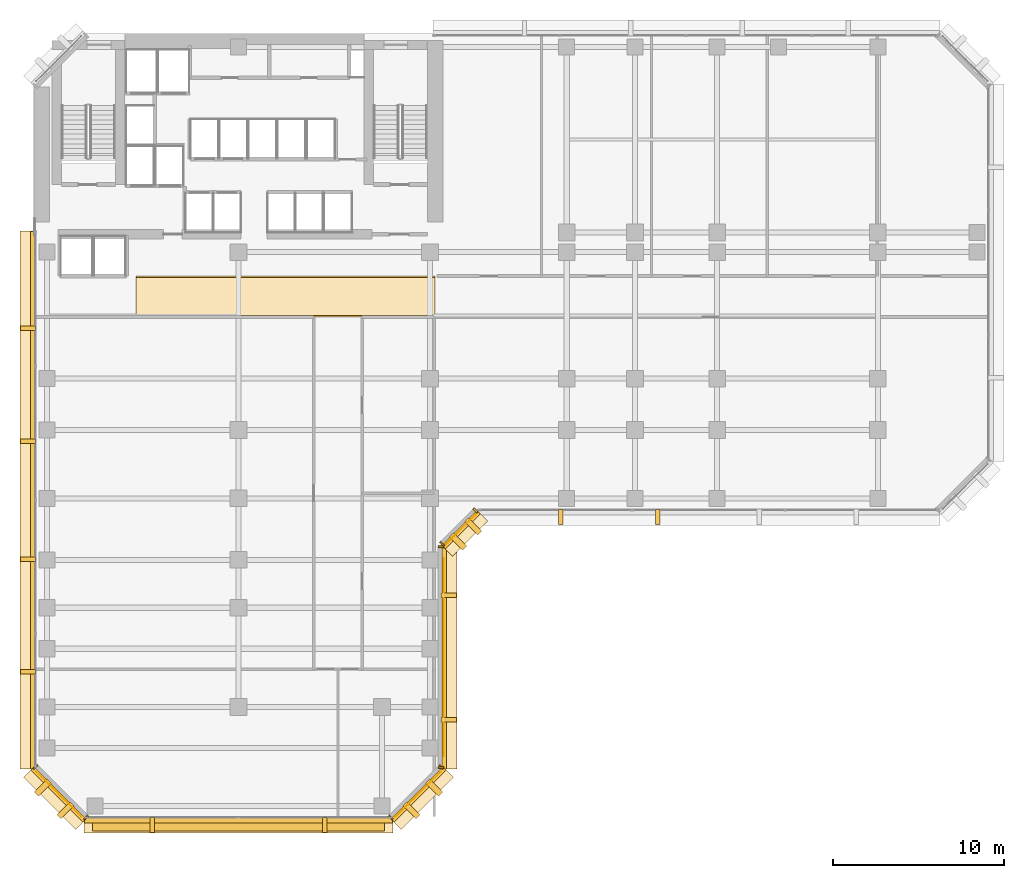
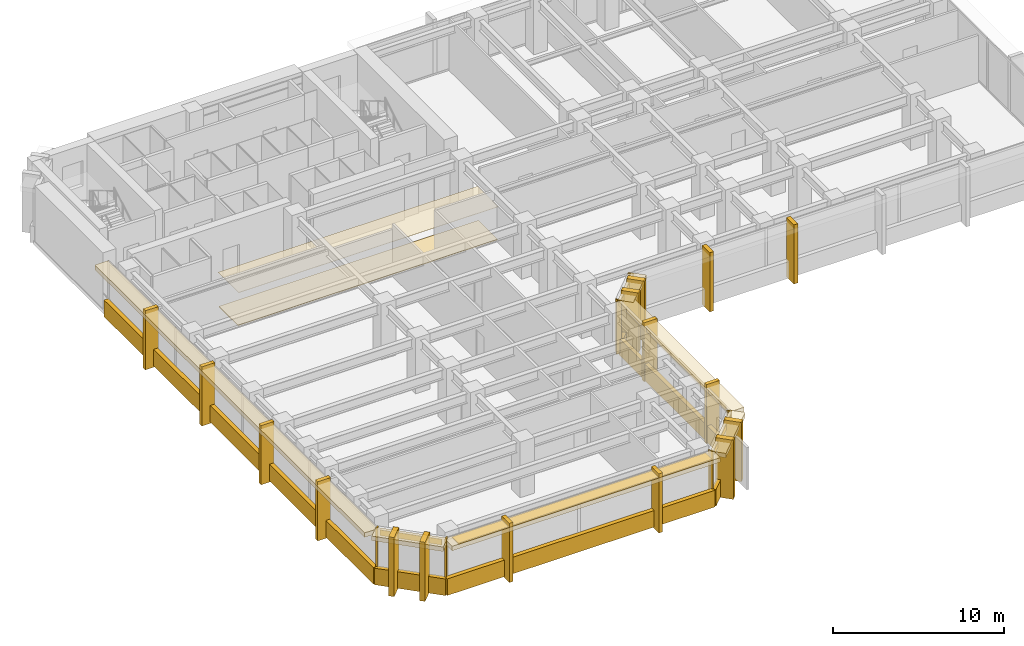
# One storey, part 9 of 13: 42 coverings, 1 shading device.
"""IFC4 building model written with IfcOpenShell, lengths in metres."""

import ifcopenshell
import ifcopenshell.guid

model = None  # the IFC model being written
_history = None  # IfcOwnerHistory: only IFC2X3 demands one
_inside = {}  # id of a spatial element -> (the spatial element, [elements in it])
_under = {}  # id of a project, library or spatial element -> (it, [spatial elements below it])
_declared = {}  # id of a project -> (the project, [libraries it declares])
_typed = {}  # id of a type object -> (the type object, [elements of that type])
_made_of = {}  # id of a material, layer set ... -> (it, [elements and type objects made of it])


def new_model(schema):
    """Start an empty IFC model of exactly this schema.

    Asked for "IFC4X3", IfcOpenShell would pick the latest addendum, in which some entities
    have other attributes; the version numbers below select the first issue.
    IFC2X3 requires an IfcOwnerHistory on every rooted entity: one is made here for all.
    """
    global model, _history
    if schema == "IFC4X3":
        model = ifcopenshell.file(schema_version=(4, 3, 0, 0))
    else:
        model = ifcopenshell.file(schema=schema)
    _inside.clear()
    _under.clear()
    _declared.clear()
    _typed.clear()
    _made_of.clear()
    _history = None
    if model.schema == "IFC2X3":
        org = make("IfcOrganization", Name="unknown")
        user = make(
            "IfcPersonAndOrganization",
            ThePerson=make("IfcPerson", FamilyName="unknown"),
            TheOrganization=org,
        )
        app = make(
            "IfcApplication",
            ApplicationDeveloper=org,
            Version="unknown",
            ApplicationFullName="unknown",
            ApplicationIdentifier="unknown",
        )
        _history = make(
            "IfcOwnerHistory",
            OwningUser=user,
            OwningApplication=app,
            ChangeAction="ADDED",
            CreationDate=0,
        )
    return model


def make(cls, **values):
    """One entity of the class cls with the attributes given. An attribute that is None is left unset."""
    return model.create_entity(
        cls, **{name: value for name, value in values.items() if value is not None}
    )


def rooted(cls, **values):
    """An entity with a GlobalId (a new one), such as an element, a storey or a relation."""
    return make(cls, GlobalId=ifcopenshell.guid.new(), OwnerHistory=_history, **values)


def si_unit(unit_type, name, prefix=None):
    """IfcSIUnit, for example si_unit("LENGTHUNIT", "METRE", prefix="MILLI")."""
    return make("IfcSIUnit", UnitType=unit_type, Prefix=prefix, Name=name)


def assignment(units):
    """IfcUnitAssignment: the units of a project."""
    return None if units is None else make("IfcUnitAssignment", Units=units)


def point(xyz):
    """IfcCartesianPoint."""
    return None if xyz is None else make("IfcCartesianPoint", Coordinates=xyz)


def direction(xyz):
    """IfcDirection."""
    return None if xyz is None else make("IfcDirection", DirectionRatios=xyz)


def frame(location, z_axis=None, x_axis=None):
    """IfcAxis2Placement3D, a coordinate frame: its origin and axes. An axis left out is left unset."""
    return make(
        "IfcAxis2Placement3D",
        Location=point(location),
        Axis=direction(z_axis),
        RefDirection=direction(x_axis),
    )


def frame_2d(location, x_axis=None):
    """IfcAxis2Placement2D, a coordinate frame in the plane: its origin and x axis."""
    return make(
        "IfcAxis2Placement2D", Location=point(location), RefDirection=direction(x_axis)
    )


def origin():
    """The frame at (0, 0, 0) with its axes left unset."""
    return frame((0.0, 0.0, 0.0))


def origin_2d():
    """The frame at (0, 0) in the plane with its x axis left unset."""
    return frame_2d((0.0, 0.0))


def place(relative_to, where):
    """IfcLocalPlacement: puts the frame where relative to a parent placement (None: the world)."""
    return make(
        "IfcLocalPlacement", PlacementRelTo=relative_to, RelativePlacement=where
    )


def context(
    kind, dimensions, precision=None, world=None, true_north=None, identifier=None
):
    """IfcGeometricRepresentationContext, for example the 3D "Model" context."""
    return make(
        "IfcGeometricRepresentationContext",
        ContextIdentifier=identifier,
        ContextType=kind,
        CoordinateSpaceDimension=dimensions,
        Precision=precision,
        WorldCoordinateSystem=world,
        TrueNorth=true_north,
    )


def subcontext(parent, identifier, kind, view, scale=None):
    """IfcGeometricRepresentationSubContext, for example "Body" below "Model"."""
    return make(
        "IfcGeometricRepresentationSubContext",
        ContextIdentifier=identifier,
        ContextType=kind,
        ParentContext=parent,
        TargetScale=scale,
        TargetView=view,
    )


def project(units=None, contexts=None):
    """IfcProject with its units and contexts."""
    return rooted(
        "IfcProject",
        Name="project",
        RepresentationContexts=contexts,
        UnitsInContext=assignment(units),
    )


def spatial(cls, under=None, at=None, **own):
    """A site, building, storey or space (cls), placed at a placement, below another one or the project."""
    s = rooted(cls, ObjectPlacement=at, **own)
    if under is not None:
        _under.setdefault(under.id(), (under, []))[1].append(s)
    return s


def polyline(points):
    """IfcPolyline through the points."""
    return make("IfcPolyline", Points=[point(p) for p in points])


def profile(cls, at=None, kind="AREA", **sizes):
    """A parametric profile (cls). Its sizes go by their IFC names, for example OverallWidth=200.0."""
    return make(cls, ProfileType=kind, Position=at, **sizes)


def rectangle(**sizes):
    """IfcRectangleProfileDef."""
    return profile("IfcRectangleProfileDef", **sizes)


def outline(outer, holes=None, kind="AREA"):
    """IfcArbitraryClosedProfileDef: a profile drawn as a closed curve; with holes, ...WithVoids."""
    if holes is None:
        return make("IfcArbitraryClosedProfileDef", ProfileType=kind, OuterCurve=outer)
    return make(
        "IfcArbitraryProfileDefWithVoids",
        ProfileType=kind,
        OuterCurve=outer,
        InnerCurves=holes,
    )


def extrude(swept, where, along, depth):
    """IfcExtrudedAreaSolid: the profile swept, set in the frame where, extruded along a direction by depth."""
    return make(
        "IfcExtrudedAreaSolid",
        SweptArea=swept,
        Position=where,
        ExtrudedDirection=direction(along),
        Depth=depth,
    )


def shape(context_of_items, identifier, shape_type, items):
    """IfcShapeRepresentation: the items that make up one representation, for example the "Body"."""
    return make(
        "IfcShapeRepresentation",
        ContextOfItems=context_of_items,
        RepresentationIdentifier=identifier,
        RepresentationType=shape_type,
        Items=items,
    )


def material(Name=None, Category=None):
    """IfcMaterial."""
    return make("IfcMaterial", Name=Name, Category=Category)


def layer(
    of_material, thickness, ventilated=None, Name=None, Category=None, Priority=None
):
    """IfcMaterialLayer: one layer of a wall or slab, of a material (None: an air gap)."""
    return make(
        "IfcMaterialLayer",
        Material=of_material,
        LayerThickness=thickness,
        IsVentilated=ventilated,
        Name=Name,
        Category=Category,
        Priority=Priority,
    )


def layer_set(layers, Name=None):
    """IfcMaterialLayerSet."""
    return make("IfcMaterialLayerSet", MaterialLayers=layers, LayerSetName=Name)


def made_of(thing, what):
    """Note that an element or type object is made of a material, layer set ...; save() writes the relation."""
    if what is not None:
        _made_of.setdefault(what.id(), (what, []))[1].append(thing)
    return thing


def type_object(cls, material=None, **own):
    """A type object (cls), such as IfcWallType, which elements share."""
    return made_of(rooted(cls, **own), material)


def element(
    cls,
    number,
    at=None,
    inside=None,
    cuts=None,
    type_object=None,
    material=None,
    context=None,
    identifier="Body",
    shape_type=None,
    held_by="IfcProductDefinitionShape",
    body=None,
    shapes=None,
    **own,
):
    """One element of the class cls, such as IfcWall. Its Tag is "e" and its number.

    at: its placement. inside: the storey or other place that contains it. cuts: it is an
    opening in that element (IfcRelVoidsElement). A single representation is given by context,
    identifier, shape_type and body (its items); several are given by shapes. held_by: the class
    of the entity that holds the representations. save() writes the other relations.
    """
    e = rooted(cls, Tag="e%d" % number, ObjectPlacement=at, **own)
    if body is not None:
        shapes = [shape(context, identifier, shape_type, body)]
    if shapes is not None:
        e.Representation = make(held_by, Representations=shapes)
    if inside is not None:
        _inside.setdefault(inside.id(), (inside, []))[1].append(e)
    if cuts is not None:
        rooted(
            "IfcRelVoidsElement", RelatingBuildingElement=cuts, RelatedOpeningElement=e
        )
    if type_object is not None:
        _typed.setdefault(type_object.id(), (type_object, []))[1].append(e)
    return made_of(e, material)


def aggregate(whole, parts):
    """IfcRelAggregates: a whole, such as a stair, and the parts it consists of."""
    return rooted("IfcRelAggregates", RelatingObject=whole, RelatedObjects=parts)


def save(model, path):
    """Write the relations noted so far, then the file.

    IfcRelAggregates (storeys below a building ...), IfcRelContainedInSpatialStructure (elements
    in a storey), IfcRelDefinesByType, IfcRelAssociatesMaterial and IfcRelDeclares: one each for
    every whole, place, type object, material and project.
    """
    for whole, parts in _under.values():
        aggregate(whole, parts)
    for where, things in _inside.values():
        rooted(
            "IfcRelContainedInSpatialStructure",
            RelatedElements=things,
            RelatingStructure=where,
        )
    for kind, things in _typed.values():
        rooted("IfcRelDefinesByType", RelatedObjects=things, RelatingType=kind)
    for what, things in _made_of.values():
        rooted("IfcRelAssociatesMaterial", RelatedObjects=things, RelatingMaterial=what)
    for by, libraries in _declared.values():
        rooted("IfcRelDeclares", RelatingContext=by, RelatedDefinitions=libraries)
    model.write(path)


model = new_model("IFC4")

# Units and contexts
model_context = context("Model", 3, precision=1e-05, world=origin(), true_north=direction((0.0, 1.0)))
body_context = subcontext(model_context, "Body", "Model", "MODEL_VIEW")
ifc_project = project(units=[si_unit("LENGTHUNIT", "METRE"), si_unit("AREAUNIT", "SQUARE_METRE"), si_unit("VOLUMEUNIT", "CUBIC_METRE"), si_unit("PLANEANGLEUNIT", "RADIAN"), si_unit("MASSUNIT", "GRAM", prefix="KILO")], contexts=[model_context])

# Site, building, storey
site_placement = place(None, origin())
site = spatial("IfcSite", under=ifc_project, at=site_placement, CompositionType="ELEMENT")
building_placement = place(site_placement, origin())
building = spatial("IfcBuilding", under=site, at=building_placement, Name="Kefirva Bronze Tower", CompositionType="ELEMENT")
storey_placement = place(building_placement, frame((0.0, 0.0, 69.9599609375)))
storey = spatial("IfcBuildingStorey", under=building, at=storey_placement, Name="L16", CompositionType="ELEMENT", Elevation=69.9599609375)

# Coverings
ifc_material_1 = material(Name="Acoustic mineral tile")
ifc_layer_1 = layer(ifc_material_1, 0.02490234375, Name="Acoustic mineral tile")
ifc_layer_set_1 = layer_set([ifc_layer_1], Name="Acoustic mineral tile")
covering_type_1 = type_object("IfcCoveringType", Name="Acoustic Mineral Suspended Ceiling 25mm", PredefinedType="CEILING", material=ifc_layer_set_1)
covering_1_placement = place(storey_placement, frame((0.0, 0.0, 2.400146484375)))
element("IfcCovering", 1, at=covering_1_placement, inside=storey, type_object=covering_type_1, Name="L16 Corridor Acoustic Ceiling", PredefinedType="CEILING", context=body_context, shape_type="SweptSolid", body=[
    extrude(outline(polyline([(6.0, 29.39990234375), (23.5, 29.39990234375), (23.5, 31.800048828125), (6.0, 31.800048828125), (6.0, 29.39990234375)])), origin(), (0.0, 0.0, 1.0), 0.02490234375),
])
ifc_material_2 = material(Name="Bronze anodised aluminium", Category="aluminium")
ifc_layer_2 = layer(ifc_material_2, 0.02001953125, Name="Bronze anodised aluminium")
ifc_layer_set_2 = layer_set([ifc_layer_2], Name="Bronze anodised aluminium")
covering_type_2 = type_object("IfcCoveringType", Name="Anodised Bronze Spandrel Cladding 20mm", PredefinedType="CLADDING", material=ifc_layer_set_2)
covering_2_placement = place(storey_placement, frame((12.0, -0.0400390625, -0.16015625), z_axis=(0.0, 0.0, 1.0), x_axis=(1.0, 0.0, 0.0)))
element("IfcCovering", 2, at=covering_2_placement, inside=storey, type_object=covering_type_2, Name="L16 Streamline Horizontal Spandrel Band 0", PredefinedType="CLADDING", context=body_context, shape_type="SweptSolid", body=[
    extrude(rectangle(XDim=18.0400390625, YDim=0.280029296875, at=origin_2d()), origin(), (0.0, 0.0, 1.0), 1.179931640625),
])
covering_3_placement = place(storey_placement, frame((22.507080078125, 1.492919921875, 3.2900390625), z_axis=(0.0, 0.0, 1.0), x_axis=(0.707106781187, 0.707106781187, 0.0)))
element("IfcCovering", 3, at=covering_3_placement, inside=storey, type_object=covering_type_2, Name="L16 Bronze Spandrel Cladding 1", PredefinedType="CLADDING", context=body_context, shape_type="SweptSolid", body=[
    extrude(rectangle(XDim=3.719482421875, YDim=0.02001953125, at=origin_2d()), origin(), (0.0, 0.0, 1.0), 0.39990234375),
])
for number, where, z_axis, x_axis, name in (
    (4, (20.91162109375, 0.137939453125, 0.0), (0.0, 0.0, 1.0), (0.707106781187, 0.707106781187, 0.0), "L16 Facade Joint Closure Panel 1S"),
    (5, (23.862060546875, 3.08837890625, 0.0), (0.0, 0.0, 1.0), (0.707106781187, 0.707106781187, 0.0), "L16 Facade Joint Closure Panel 1E"),
):
    element("IfcCovering", number, at=place(storey_placement, frame(where, z_axis=z_axis, x_axis=x_axis)), inside=storey, type_object=covering_type_2, Name=name, PredefinedType="CLADDING", context=body_context, shape_type="SweptSolid", body=[
        extrude(rectangle(XDim=0.10009765625, YDim=0.320068359375, at=origin_2d()), origin(), (0.0, 0.0, 1.0), 3.7099609375),
    ])
covering_4_placement = place(storey_placement, frame((22.5283203125, 1.4716796875, -0.16015625), z_axis=(0.0, 0.0, 1.0), x_axis=(0.707106781187, 0.707106781187, 0.0)))
element("IfcCovering", 6, at=covering_4_placement, inside=storey, type_object=covering_type_2, Name="L16 Streamline Horizontal Spandrel Band 1", PredefinedType="CLADDING", context=body_context, shape_type="SweptSolid", body=[
    extrude(rectangle(XDim=4.28271484375, YDim=0.280029296875, at=origin_2d()), origin(), (0.0, 0.0, 1.0), 1.179931640625),
])
covering_5_placement = place(storey_placement, frame((24.010009765625, 9.5, 3.2900390625), z_axis=(0.0, 0.0, 1.0), x_axis=(0.0, 1.0, 0.0)))
element("IfcCovering", 7, at=covering_5_placement, inside=storey, type_object=covering_type_2, Name="L16 Bronze Spandrel Cladding 2", PredefinedType="CLADDING", context=body_context, shape_type="SweptSolid", body=[
    extrude(rectangle(XDim=11.60107421875, YDim=0.02001953125, at=origin_2d()), origin(), (0.0, 0.0, 1.0), 0.39990234375),
])
for number, where, z_axis, x_axis, name in (
    (8, (23.840087890625, 3.034912109375, 0.0), (0.0, 0.0, 1.0), (0.0, 1.0, 0.0), "L16 Facade Joint Closure Panel 2S"),
    (9, (23.840087890625, 15.965087890625, 0.0), (0.0, 0.0, 1.0), (0.0, 1.0, 0.0), "L16 Facade Joint Closure Panel 2E"),
):
    element("IfcCovering", number, at=place(storey_placement, frame(where, z_axis=z_axis, x_axis=x_axis)), inside=storey, type_object=covering_type_2, Name=name, PredefinedType="CLADDING", context=body_context, shape_type="SweptSolid", body=[
        extrude(rectangle(XDim=0.10009765625, YDim=0.320068359375, at=origin_2d()), origin(), (0.0, 0.0, 1.0), 3.7099609375),
    ])
covering_6_placement = place(storey_placement, frame((24.0400390625, 9.5, -0.16015625), z_axis=(0.0, 0.0, 1.0), x_axis=(0.0, 1.0, 0.0)))
element("IfcCovering", 10, at=covering_6_placement, inside=storey, type_object=covering_type_2, Name="L16 Streamline Horizontal Spandrel Band 2", PredefinedType="CLADDING", context=body_context, shape_type="SweptSolid", body=[
    extrude(rectangle(XDim=13.0400390625, YDim=0.280029296875, at=origin_2d()), origin(), (0.0, 0.0, 1.0), 1.179931640625),
])
covering_7_placement = place(storey_placement, frame((25.007080078125, 16.992919921875, 3.2900390625), z_axis=(0.0, 0.0, 1.0), x_axis=(0.707106781187, 0.707106781187, 0.0)))
element("IfcCovering", 11, at=covering_7_placement, inside=storey, type_object=covering_type_2, Name="L16 Bronze Spandrel Cladding 3", PredefinedType="CLADDING", context=body_context, shape_type="SweptSolid", body=[
    extrude(rectangle(XDim=2.446533203125, YDim=0.02001953125, at=origin_2d()), origin(), (0.0, 0.0, 1.0), 0.39990234375),
])
for number, where, z_axis, x_axis, name in (
    (12, (23.91162109375, 16.137939453125, 0.0), (0.0, 0.0, 1.0), (0.707106781187, 0.707106781187, 0.0), "L16 Facade Joint Closure Panel 3S"),
    (13, (25.862060546875, 18.08837890625, 0.0), (0.0, 0.0, 1.0), (0.707106781187, 0.707106781187, 0.0), "L16 Facade Joint Closure Panel 3E"),
):
    element("IfcCovering", number, at=place(storey_placement, frame(where, z_axis=z_axis, x_axis=x_axis)), inside=storey, type_object=covering_type_2, Name=name, PredefinedType="CLADDING", context=body_context, shape_type="SweptSolid", body=[
        extrude(rectangle(XDim=0.10009765625, YDim=0.320068359375, at=origin_2d()), origin(), (0.0, 0.0, 1.0), 3.7099609375),
    ])
covering_8_placement = place(storey_placement, frame((25.0283203125, 16.9716796875, -0.16015625), z_axis=(0.0, 0.0, 1.0), x_axis=(0.707106781187, 0.707106781187, 0.0)))
element("IfcCovering", 14, at=covering_8_placement, inside=storey, type_object=covering_type_2, Name="L16 Streamline Horizontal Spandrel Band 3", PredefinedType="CLADDING", context=body_context, shape_type="SweptSolid", body=[
    extrude(rectangle(XDim=2.868408203125, YDim=0.280029296875, at=origin_2d()), origin(), (0.0, 0.0, 1.0), 1.179931640625),
])
covering_9_placement = place(storey_placement, frame((-0.0400390625, 18.697509765625, -0.16015625), z_axis=(0.0, 0.0, 1.0), x_axis=(0.0, -1.0, 0.0)))
element("IfcCovering", 15, at=covering_9_placement, inside=storey, type_object=covering_type_2, Name="L16 Streamline Horizontal Spandrel Band 10", PredefinedType="CLADDING", context=body_context, shape_type="SweptSolid", body=[
    extrude(rectangle(XDim=31.43505859375, YDim=0.280029296875, at=origin_2d()), origin(), (0.0, 0.0, 1.0), 1.179931640625),
])
covering_10_placement = place(storey_placement, frame((1.492919921875, 1.492919921875, 3.2900390625), z_axis=(0.0, 0.0, 1.0), x_axis=(0.707106781187, -0.707106781187, 0.0)))
element("IfcCovering", 16, at=covering_10_placement, inside=storey, type_object=covering_type_2, Name="L16 Bronze Spandrel Cladding 7", PredefinedType="CLADDING", context=body_context, shape_type="SweptSolid", body=[
    extrude(rectangle(XDim=3.719482421875, YDim=0.02001953125, at=origin_2d()), origin(), (0.0, 0.0, 1.0), 0.39990234375),
])
for number, where, z_axis, x_axis, name in (
    (17, (0.137939453125, 3.08837890625, 0.0), (0.0, 0.0, 1.0), (0.707106781187, -0.707106781187, 0.0), "L16 Facade Joint Closure Panel 7S"),
    (18, (3.08837890625, 0.137939453125, 0.0), (0.0, 0.0, 1.0), (0.707106781187, -0.707106781187, 0.0), "L16 Facade Joint Closure Panel 7E"),
):
    element("IfcCovering", number, at=place(storey_placement, frame(where, z_axis=z_axis, x_axis=x_axis)), inside=storey, type_object=covering_type_2, Name=name, PredefinedType="CLADDING", context=body_context, shape_type="SweptSolid", body=[
        extrude(rectangle(XDim=0.10009765625, YDim=0.320068359375, at=origin_2d()), origin(), (0.0, 0.0, 1.0), 3.7099609375),
    ])
covering_11_placement = place(storey_placement, frame((1.4716796875, 1.4716796875, -0.16015625), z_axis=(0.0, 0.0, 1.0), x_axis=(0.707106781187, -0.707106781187, 0.0)))
element("IfcCovering", 19, at=covering_11_placement, inside=storey, type_object=covering_type_2, Name="L16 Streamline Horizontal Spandrel Band 11", PredefinedType="CLADDING", context=body_context, shape_type="SweptSolid", body=[
    extrude(rectangle(XDim=4.28271484375, YDim=0.280029296875, at=origin_2d()), origin(), (0.0, 0.0, 1.0), 1.179931640625),
])

# Shading device
ifc_layer_3 = layer(ifc_material_2, 0.090087890625, Name="Bronze anodised aluminium")
ifc_layer_set_3 = layer_set([ifc_layer_3], Name="Bronze anodised aluminium")
shading_device_type = type_object("IfcShadingDeviceType", Name="Horizontal Bronze Sunshade Band 750mm", PredefinedType="JALOUSIE", material=ifc_layer_set_3)
shading_device_placement = place(storey_placement, frame((12.0, -0.294921875, 3.60498046875), z_axis=(0.0, 0.0, 1.0), x_axis=(1.0, 0.0, 0.0)))
element("IfcShadingDevice", 20, at=shading_device_placement, inside=storey, type_object=shading_device_type, Name="L16 Horizontal Bronze Sunshade Band 0", PredefinedType="JALOUSIE", context=body_context, shape_type="SweptSolid", body=[
    extrude(rectangle(XDim=17.090087890625, YDim=0.75, at=origin_2d()), origin(), (0.0, 0.0, 1.0), 0.090087890625),
])

# Coverings
ifc_material_3 = material(Name="Calcium sulphate access tile")
ifc_layer_4 = layer(ifc_material_3, 0.044921875, Name="Calcium sulphate access tile")
ifc_layer_set_4 = layer_set([ifc_layer_4], Name="Calcium sulphate access tile")
covering_type_3 = type_object("IfcCoveringType", Name="Raised Access Office Flooring 45mm", PredefinedType="FLOORING", material=ifc_layer_set_4)
covering_12_placement = place(storey_placement, origin())
element("IfcCovering", 21, at=covering_12_placement, inside=storey, type_object=covering_type_3, Name="L16 Architectural Finish Flooring", PredefinedType="FLOORING", context=body_context, shape_type="SweptSolid", body=[
    extrude(outline(polyline([(6.0, 29.47998046875), (23.5, 29.47998046875), (23.5, 31.719970703125), (6.0, 31.719970703125), (6.0, 29.47998046875)])), origin(), (0.0, 0.0, 1.0), 0.044921875),
])
ifc_layer_5 = layer(ifc_material_2, 0.179931640625, Name="Bronze anodised aluminium")
ifc_layer_set_5 = layer_set([ifc_layer_5], Name="Bronze anodised aluminium")
covering_type_4 = type_object("IfcCoveringType", Name="Streamline Bronze Sunshade Eyebrow Cladding 180mm", PredefinedType="CLADDING", material=ifc_layer_set_5)
covering_13_placement = place(storey_placement, frame((12.0, -0.31005859375, 3.39013671875), z_axis=(0.0, 0.0, 1.0), x_axis=(1.0, 0.0, 0.0)))
element("IfcCovering", 22, at=covering_13_placement, inside=storey, type_object=covering_type_4, Name="L16 Streamline Bronze Sunshade Eyebrow 0", PredefinedType="CLADDING", context=body_context, shape_type="SweptSolid", body=[
    extrude(rectangle(XDim=18.080078125, YDim=0.93994140625, at=origin_2d()), origin(), (0.0, 0.0, 1.0), 0.320068359375),
])
covering_14_placement = place(storey_placement, frame((22.71923828125, 1.28076171875, 3.39013671875), z_axis=(0.0, 0.0, 1.0), x_axis=(0.707106781187, 0.707106781187, 0.0)))
element("IfcCovering", 23, at=covering_14_placement, inside=storey, type_object=covering_type_4, Name="L16 Streamline Bronze Sunshade Eyebrow 1", PredefinedType="CLADDING", context=body_context, shape_type="SweptSolid", body=[
    extrude(rectangle(XDim=4.322509765625, YDim=0.93994140625, at=origin_2d()), origin(), (0.0, 0.0, 1.0), 0.320068359375),
])
covering_15_placement = place(storey_placement, frame((24.31005859375, 9.5, 3.39013671875), z_axis=(0.0, 0.0, 1.0), x_axis=(0.0, 1.0, 0.0)))
element("IfcCovering", 24, at=covering_15_placement, inside=storey, type_object=covering_type_4, Name="L16 Streamline Bronze Sunshade Eyebrow 2", PredefinedType="CLADDING", context=body_context, shape_type="SweptSolid", body=[
    extrude(rectangle(XDim=13.080078125, YDim=0.93994140625, at=origin_2d()), origin(), (0.0, 0.0, 1.0), 0.320068359375),
])
covering_16_placement = place(storey_placement, frame((25.21923828125, 16.78076171875, 3.39013671875), z_axis=(0.0, 0.0, 1.0), x_axis=(0.707106781187, 0.707106781187, 0.0)))
element("IfcCovering", 25, at=covering_16_placement, inside=storey, type_object=covering_type_4, Name="L16 Streamline Bronze Sunshade Eyebrow 3", PredefinedType="CLADDING", context=body_context, shape_type="SweptSolid", body=[
    extrude(rectangle(XDim=2.908447265625, YDim=0.93994140625, at=origin_2d()), origin(), (0.0, 0.0, 1.0), 0.320068359375),
])
covering_17_placement = place(storey_placement, frame((-0.31005859375, 18.697509765625, 3.39013671875), z_axis=(0.0, 0.0, 1.0), x_axis=(0.0, -1.0, 0.0)))
element("IfcCovering", 26, at=covering_17_placement, inside=storey, type_object=covering_type_4, Name="L16 Streamline Bronze Sunshade Eyebrow 10", PredefinedType="CLADDING", context=body_context, shape_type="SweptSolid", body=[
    extrude(rectangle(XDim=31.47509765625, YDim=0.93994140625, at=origin_2d()), origin(), (0.0, 0.0, 1.0), 0.320068359375),
])
covering_18_placement = place(storey_placement, frame((1.28076171875, 1.28076171875, 3.39013671875), z_axis=(0.0, 0.0, 1.0), x_axis=(0.707106781187, -0.707106781187, 0.0)))
element("IfcCovering", 27, at=covering_18_placement, inside=storey, type_object=covering_type_4, Name="L16 Streamline Bronze Sunshade Eyebrow 11", PredefinedType="CLADDING", context=body_context, shape_type="SweptSolid", body=[
    extrude(rectangle(XDim=4.322509765625, YDim=0.93994140625, at=origin_2d()), origin(), (0.0, 0.0, 1.0), 0.320068359375),
])
ifc_layer_6 = layer(ifc_material_2, 0.260009765625, Name="Bronze anodised aluminium")
ifc_layer_set_6 = layer_set([ifc_layer_6], Name="Bronze anodised aluminium")
covering_type_5 = type_object("IfcCoveringType", Name="Unbroken Bronze Buttress Fin Cladding 260mm", PredefinedType="CLADDING", material=ifc_layer_set_6)
for number, where, z_axis, x_axis, name in (
    (28, (6.9599609375, -0.300048828125, -0.25), (0.0, 0.0, 1.0), (1.0, 0.0, 0.0), "L16 Unbroken Vertical Bronze Rib Fin 1"),
    (29, (17.0400390625, -0.300048828125, -0.25), (0.0, 0.0, 1.0), (1.0, 0.0, 0.0), "L16 Unbroken Vertical Bronze Rib Fin 2"),
):
    element("IfcCovering", number, at=place(storey_placement, frame(where, z_axis=z_axis, x_axis=x_axis)), inside=storey, type_object=covering_type_5, Name=name, PredefinedType="CLADDING", context=body_context, shape_type="SweptSolid", body=[
        extrude(rectangle(XDim=0.260009765625, YDim=0.8798828125, at=origin_2d()), origin(), (0.0, 0.0, 1.0), 4.2099609375),
    ])
for number, where, z_axis, x_axis, name in (
    (30, (22.122802734375, 0.55712890625, -0.25), (0.0, 0.0, 1.0), (0.707106781187, 0.707106781187, 0.0), "L16 Chamfered Corner Buttress Fin Cladding 3"),
    (31, (23.44287109375, 1.877197265625, -0.25), (0.0, 0.0, 1.0), (0.707106781187, 0.707106781187, 0.0), "L16 Chamfered Corner Buttress Fin Cladding 4"),
):
    element("IfcCovering", number, at=place(storey_placement, frame(where, z_axis=z_axis, x_axis=x_axis)), inside=storey, type_object=covering_type_5, Name=name, PredefinedType="CLADDING", context=body_context, shape_type="SweptSolid", body=[
        extrude(rectangle(XDim=0.340087890625, YDim=1.080078125, at=origin_2d()), origin(), (0.0, 0.0, 1.0), 4.2099609375),
    ])
for number, where, z_axis, x_axis, name in (
    (32, (24.300048828125, 5.860107421875, -0.25), (0.0, 0.0, 1.0), (0.0, 1.0, 0.0), "L16 Unbroken Vertical Bronze Rib Fin 5"),
    (33, (24.300048828125, 13.139892578125, -0.25), (0.0, 0.0, 1.0), (0.0, 1.0, 0.0), "L16 Unbroken Vertical Bronze Rib Fin 6"),
):
    element("IfcCovering", number, at=place(storey_placement, frame(where, z_axis=z_axis, x_axis=x_axis)), inside=storey, type_object=covering_type_5, Name=name, PredefinedType="CLADDING", context=body_context, shape_type="SweptSolid", body=[
        extrude(rectangle(XDim=0.260009765625, YDim=0.8798828125, at=origin_2d()), origin(), (0.0, 0.0, 1.0), 4.2099609375),
    ])
for number, where, z_axis, x_axis, name in (
    (34, (24.8427734375, 16.277099609375, -0.25), (0.0, 0.0, 1.0), (0.707106781187, 0.707106781187, 0.0), "L16 Chamfered Corner Buttress Fin Cladding 7"),
    (35, (25.722900390625, 17.1572265625, -0.25), (0.0, 0.0, 1.0), (0.707106781187, 0.707106781187, 0.0), "L16 Chamfered Corner Buttress Fin Cladding 8"),
):
    element("IfcCovering", number, at=place(storey_placement, frame(where, z_axis=z_axis, x_axis=x_axis)), inside=storey, type_object=covering_type_5, Name=name, PredefinedType="CLADDING", context=body_context, shape_type="SweptSolid", body=[
        extrude(rectangle(XDim=0.340087890625, YDim=1.080078125, at=origin_2d()), origin(), (0.0, 0.0, 1.0), 4.2099609375),
    ])
for number, where, z_axis, x_axis, name in (
    (36, (30.860107421875, 17.699951171875, -0.25), (0.0, 0.0, 1.0), (1.0, 0.0, 0.0), "L16 Unbroken Vertical Bronze Rib Fin 9"),
    (37, (36.530029296875, 17.699951171875, -0.25), (0.0, 0.0, 1.0), (1.0, 0.0, 0.0), "L16 Unbroken Vertical Bronze Rib Fin 10"),
    (38, (-0.300048828125, 28.743896484375, -0.25), (0.0, 0.0, 1.0), (0.0, -1.0, 0.0), "L16 Unbroken Vertical Bronze Rib Fin 25"),
    (39, (-0.300048828125, 22.15087890625, -0.25), (0.0, 0.0, 1.0), (0.0, -1.0, 0.0), "L16 Unbroken Vertical Bronze Rib Fin 26"),
    (40, (-0.300048828125, 15.244140625, -0.25), (0.0, 0.0, 1.0), (0.0, -1.0, 0.0), "L16 Unbroken Vertical Bronze Rib Fin 27"),
    (41, (-0.300048828125, 8.651123046875, -0.25), (0.0, 0.0, 1.0), (0.0, -1.0, 0.0), "L16 Unbroken Vertical Bronze Rib Fin 28"),
):
    element("IfcCovering", number, at=place(storey_placement, frame(where, z_axis=z_axis, x_axis=x_axis)), inside=storey, type_object=covering_type_5, Name=name, PredefinedType="CLADDING", context=body_context, shape_type="SweptSolid", body=[
        extrude(rectangle(XDim=0.260009765625, YDim=0.8798828125, at=origin_2d()), origin(), (0.0, 0.0, 1.0), 4.2099609375),
    ])
for number, where, z_axis, x_axis, name in (
    (42, (0.55712890625, 1.877197265625, -0.25), (0.0, 0.0, 1.0), (0.707106781187, -0.707106781187, 0.0), "L16 Chamfered Corner Buttress Fin Cladding 29"),
    (43, (1.877197265625, 0.55712890625, -0.25), (0.0, 0.0, 1.0), (0.707106781187, -0.707106781187, 0.0), "L16 Chamfered Corner Buttress Fin Cladding 30"),
):
    element("IfcCovering", number, at=place(storey_placement, frame(where, z_axis=z_axis, x_axis=x_axis)), inside=storey, type_object=covering_type_5, Name=name, PredefinedType="CLADDING", context=body_context, shape_type="SweptSolid", body=[
        extrude(rectangle(XDim=0.340087890625, YDim=1.080078125, at=origin_2d()), origin(), (0.0, 0.0, 1.0), 4.2099609375),
    ])

save(model, "model.ifc")
